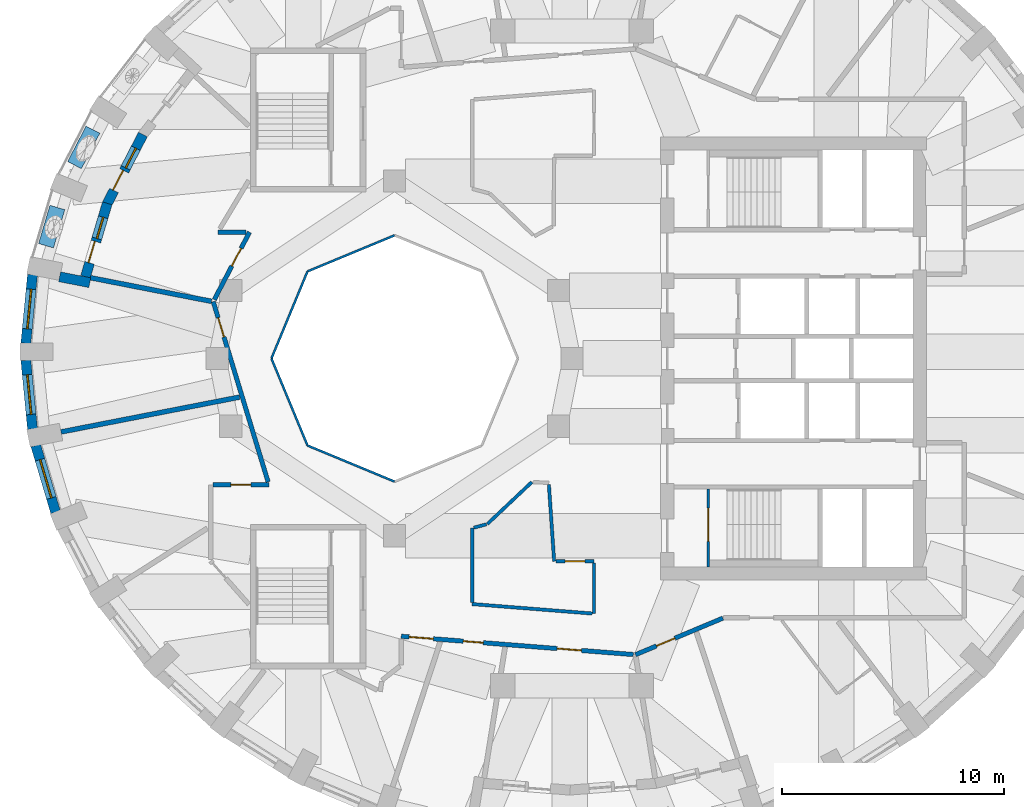
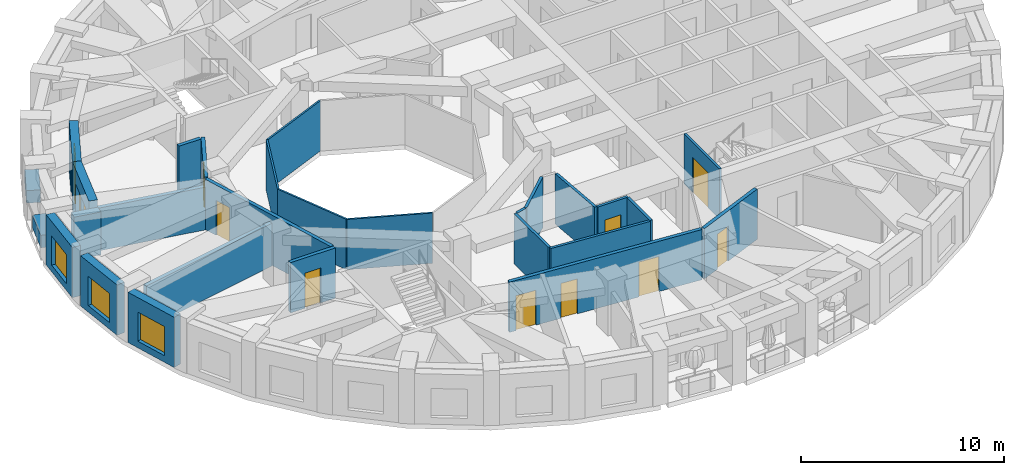
# One storey, part 4 of 12: 28 walls, 11 doors, 5 windows, 16 openings.
"""IFC4 building model written with IfcOpenShell, lengths in metres."""

from ifc_helpers import new_model, si_unit, direction, frame, frame_2d, origin, place, context, subcontext, project, spatial, rectangle, extrude, material, layer, layer_set, constituent, constituent_set, type_object, element, fill, save


model = new_model("IFC4")

# Units and contexts
model_context = context("Model", 3, precision=1e-05, world=origin(), true_north=direction((0.0, 1.0)))
body_context = subcontext(model_context, "Body", "Model", "MODEL_VIEW")
ifc_project = project(units=[si_unit("LENGTHUNIT", "METRE"), si_unit("AREAUNIT", "SQUARE_METRE"), si_unit("VOLUMEUNIT", "CUBIC_METRE"), si_unit("PLANEANGLEUNIT", "RADIAN"), si_unit("MASSUNIT", "GRAM", prefix="KILO")], contexts=[model_context])

# Site, building, storey
site_placement = place(None, origin())
site = spatial("IfcSite", under=ifc_project, at=site_placement, CompositionType="ELEMENT")
building_placement = place(site_placement, origin())
building = spatial("IfcBuilding", under=site, at=building_placement, Name="Taillehof Tower", CompositionType="ELEMENT")
storey_placement = place(building_placement, frame((0.0, 0.0, 246.5)))
storey = spatial("IfcBuildingStorey", under=building, at=storey_placement, Name="L70", CompositionType="ELEMENT", Elevation=246.5)

# Walls
ifc_material_1 = material(Name="Fire-resisting glass in steel frame", Category="steel")
ifc_layer_1 = layer(ifc_material_1, 0.10009765625)
ifc_layer_set_1 = layer_set([ifc_layer_1], Name="Atrium fire-resisting screen EI 60 100")
wall_type_1 = type_object("IfcWallType", Name="Atrium fire-resisting screen EI 60 100", PredefinedType="PARTITIONING", material=ifc_layer_set_1)
for number, where, z_axis, x_axis, name in (
    (1, (-8.0, -5.55419921875, 0.0), (0.0, 0.0, 1.0), (-0.923860025149, 0.382730523909, 0.0), "Atrium screen"),
    (2, (-11.92724609375, -3.92724609375, 0.0), (0.0, 0.0, 1.0), (-0.382730523909, 0.923860025149, 0.0), "Atrium screen"),
    (3, (-13.55419921875, 0.0, 0.0), (0.0, 0.0, 1.0), (0.382730523909, 0.923860025149, 0.0), "Atrium screen"),
    (4, (-11.92724609375, 3.92724609375, 0.0), (0.0, 0.0, 1.0), (0.923860025149, 0.382730523909, 0.0), "Atrium screen"),
):
    element("IfcWall", number, at=place(storey_placement, frame(where, z_axis=z_axis, x_axis=x_axis)), inside=storey, type_object=wall_type_1, Name=name, PredefinedType="PARTITIONING", context=body_context, shape_type="SweptSolid", body=[
        extrude(rectangle(XDim=4.2509765625, YDim=0.10009765625, at=frame_2d((2.12548828125, 0.0))), origin(), (0.0, 0.0, 1.0), 3.02001953125),
    ])

# Wall, opening, window
ifc_material_2 = material(Name="Brick masonry", Category="masonry")
ifc_layer_2 = layer(ifc_material_2, 0.449951171875)
ifc_layer_set_2 = layer_set([ifc_layer_2], Name="Brick infill wall 450")
wall_type_2 = type_object("IfcWallType", Name="Brick infill wall 450", PredefinedType="SOLIDWALL", material=ifc_layer_set_2)
wall_1_placement = place(storey_placement, frame((-24.335693359375, 3.77978515625, 0.0), z_axis=(0.0, 0.0, 1.0), x_axis=(-0.096740086873, -0.995309678237, 0.0)))
wall_1 = element("IfcWall", 5, at=wall_1_placement, inside=storey, type_object=wall_type_2, Name="Brick wall L70 bay 18", PredefinedType="SOLIDWALL", context=body_context, shape_type="SweptSolid", body=[
    extrude(rectangle(XDim=3.1142578125, YDim=0.449951171875, at=frame_2d((1.55712890625, 0.0))), origin(), (0.0, 0.0, 1.0), 3.02001953125),
])
opening_1_placement = place(wall_1_placement, frame((0.6572265625, 0.0, 0.39990234375)))
opening_1 = element("IfcOpeningElement", 6, at=opening_1_placement, cuts=wall_1, Name="Opening W4", PredefinedType="OPENING", context=body_context, shape_type="SweptSolid", body=[
    extrude(rectangle(XDim=1.800048828125, YDim=1.75, at=frame_2d((0.89990234375, 0.875))), frame((0.0, 0.23486328125, 0.0), z_axis=(0.0, -1.0, 0.0), x_axis=(1.0, 0.0, 0.0)), (0.0, 0.0, 1.0), 0.469970703125),
])
ifc_material_3 = material(Name="Aluminium window frame with clear double glazing", Category="aluminium")
window_type_1 = type_object("IfcWindowType", Name="Deep-set window 1800x1750", PartitioningType="SINGLE_PANEL", PredefinedType="WINDOW", material=ifc_material_3)
window_1_placement = place(opening_1_placement, origin())
window_1 = element("IfcWindow", 7, at=window_1_placement, inside=storey, type_object=window_type_1, Name="W4", OverallHeight=1.75, OverallWidth=1.800048828125, PartitioningType="SINGLE_PANEL", PredefinedType="WINDOW", context=body_context, shape_type="SweptSolid", body=[
    extrude(rectangle(XDim=1.800048828125, YDim=1.75, at=frame_2d((0.89990234375, 0.875))), frame((0.0, 0.034912109375, 0.0), z_axis=(0.0, -1.0, 0.0), x_axis=(1.0, 0.0, 0.0)), (0.0, 0.0, 1.0), 0.06005859375),
])
fill(opening_1, window_1)

wall_2_placement = place(storey_placement, frame((-24.636962890625, -0.080078125, 0.0), z_axis=(0.0, 0.0, 1.0), x_axis=(0.09673253904, -0.995310411827, 0.0)))
wall_2 = element("IfcWall", 8, at=wall_2_placement, inside=storey, type_object=wall_type_2, Name="Brick wall L70 bay 19", PredefinedType="SOLIDWALL", context=body_context, shape_type="SweptSolid", body=[
    extrude(rectangle(XDim=3.114501953125, YDim=0.449951171875, at=frame_2d((1.55712890625, 0.0))), origin(), (0.0, 0.0, 1.0), 3.02001953125),
])
opening_2_placement = place(wall_2_placement, frame((0.6572265625, 0.0, 0.39990234375)))
opening_2 = element("IfcOpeningElement", 9, at=opening_2_placement, cuts=wall_2, Name="Opening W4", PredefinedType="OPENING", context=body_context, shape_type="SweptSolid", body=[
    extrude(rectangle(XDim=1.800048828125, YDim=1.75, at=frame_2d((0.89990234375, 0.875))), frame((0.0, 0.23486328125, 0.0), z_axis=(0.0, -1.0, 0.0), x_axis=(1.0, 0.0, 0.0)), (0.0, 0.0, 1.0), 0.469970703125),
])
window_2_placement = place(opening_2_placement, origin())
window_2 = element("IfcWindow", 10, at=window_2_placement, inside=storey, type_object=window_type_1, Name="W4", OverallHeight=1.75, OverallWidth=1.800048828125, PartitioningType="SINGLE_PANEL", PredefinedType="WINDOW", context=body_context, shape_type="SweptSolid", body=[
    extrude(rectangle(XDim=1.800048828125, YDim=1.75, at=frame_2d((0.89990234375, 0.875))), frame((0.0, 0.034912109375, 0.0), z_axis=(0.0, -1.0, 0.0), x_axis=(1.0, 0.0, 0.0)), (0.0, 0.0, 1.0), 0.06005859375),
])
fill(opening_2, window_2)

wall_3_placement = place(storey_placement, frame((-24.18994140625, -3.92578125, 0.0), z_axis=(0.0, 0.0, 1.0), x_axis=(0.285263800865, -0.958449040855, 0.0)))
wall_3 = element("IfcWall", 11, at=wall_3_placement, inside=storey, type_object=wall_type_2, Name="Brick wall L70 bay 20", PredefinedType="SOLIDWALL", context=body_context, shape_type="SweptSolid", body=[
    extrude(rectangle(XDim=3.13916015625, YDim=0.449951171875, at=frame_2d((1.569580078125, 0.0))), origin(), (0.0, 0.0, 1.0), 3.02001953125),
])
opening_3_placement = place(wall_3_placement, frame((0.669677734375, 0.0, 0.39990234375)))
opening_3 = element("IfcOpeningElement", 12, at=opening_3_placement, cuts=wall_3, Name="Opening W4", PredefinedType="OPENING", context=body_context, shape_type="SweptSolid", body=[
    extrude(rectangle(XDim=1.800048828125, YDim=1.75, at=frame_2d((0.89990234375, 0.875))), frame((0.0, 0.23486328125, 0.0), z_axis=(0.0, -1.0, 0.0), x_axis=(1.0, 0.0, 0.0)), (0.0, 0.0, 1.0), 0.469970703125),
])
window_3_placement = place(opening_3_placement, origin())
window_3 = element("IfcWindow", 13, at=window_3_placement, inside=storey, type_object=window_type_1, Name="W4", OverallHeight=1.75, OverallWidth=1.800048828125, PartitioningType="SINGLE_PANEL", PredefinedType="WINDOW", context=body_context, shape_type="SweptSolid", body=[
    extrude(rectangle(XDim=1.800048828125, YDim=1.75, at=frame_2d((0.89990234375, 0.875))), frame((0.0, 0.034912109375, 0.0), z_axis=(0.0, -1.0, 0.0), x_axis=(1.0, 0.0, 0.0)), (0.0, 0.0, 1.0), 0.06005859375),
])
fill(opening_3, window_3)

# Wall
wall_4_placement = place(storey_placement, frame((-23.11376953125, 3.685302734375, 0.0), z_axis=(0.0, 0.0, 1.0), x_axis=(0.981468844755, -0.191621780535, 0.0)))
element("IfcWall", 14, at=wall_4_placement, inside=storey, type_object=wall_type_2, Name="Brick reveal L70 pocket 4", PredefinedType="SOLIDWALL", context=body_context, shape_type="SweptSolid", body=[
    extrude(rectangle(XDim=1.39013671875, YDim=0.449951171875, at=frame_2d((0.695068359375, 0.0))), origin(), (0.0, 0.0, 1.0), 2.570068359375),
])

# Wall, openings, door, window
wall_5_placement = place(storey_placement, frame((-19.355224609375, 10.104248046875, 0.0), z_axis=(0.0, 0.0, 1.0), x_axis=(-0.458852093952, -0.888512665006, 0.0)))
wall_5 = element("IfcWall", 15, at=wall_5_placement, inside=storey, type_object=wall_type_2, Name="Brick wall L70 pocket bay 16", PredefinedType="SOLIDWALL", context=body_context, shape_type="SweptSolid", body=[
    extrude(rectangle(XDim=3.537841796875, YDim=0.449951171875, at=frame_2d((1.76904296875, 0.0))), origin(), (0.0, 0.0, 1.0), 3.02001953125),
])
opening_4_placement = place(wall_5_placement, frame((0.69384765625, 0.0, 0.39990234375)))
opening_4 = element("IfcOpeningElement", 16, at=opening_4_placement, cuts=wall_5, Name="Opening W5", PredefinedType="OPENING", context=body_context, shape_type="SweptSolid", body=[
    extrude(rectangle(XDim=1.0, YDim=1.75, at=frame_2d((0.5, 0.875))), frame((0.0, 0.23486328125, 0.0), z_axis=(0.0, -1.0, 0.0), x_axis=(1.0, 0.0, 0.0)), (0.0, 0.0, 1.0), 0.469970703125),
])
opening_5_placement = place(wall_5_placement, frame((1.84375, 0.0, 0.0)))
opening_5 = element("IfcOpeningElement", 17, at=opening_5_placement, cuts=wall_5, Name="Opening D7095", PredefinedType="OPENING", context=body_context, shape_type="SweptSolid", body=[
    extrude(rectangle(XDim=1.0, YDim=2.14990234375, at=frame_2d((0.5, 1.074951171875))), frame((0.0, 0.23486328125, 0.0), z_axis=(0.0, -1.0, 0.0), x_axis=(1.0, 0.0, 0.0)), (0.0, 0.0, 1.0), 0.469970703125),
])
ifc_material_4 = material(Name="Aluminium door frame with clear double glazing", Category="aluminium")
door_type_1 = type_object("IfcDoorType", Name="Balcony door 1000x2150", OperationType="SINGLE_SWING_RIGHT", PredefinedType="DOOR", material=ifc_material_4)
door_1_placement = place(opening_5_placement, frame((1.0, 0.0, 0.0), z_axis=(0.0, 0.0, 1.0), x_axis=(-1.0, 0.0, 0.0)))
door_1 = element("IfcDoor", 18, at=door_1_placement, inside=storey, type_object=door_type_1, Name="Balcony door L70 bay 16", OperationType="SINGLE_SWING_LEFT", OverallHeight=2.14990234375, OverallWidth=1.0, PredefinedType="DOOR", context=body_context, shape_type="SweptSolid", body=[
    extrude(rectangle(XDim=1.0, YDim=2.14990234375, at=frame_2d((0.5, 1.074951171875))), frame((0.0, 0.0751953125, 0.0), z_axis=(0.0, -1.0, 0.0), x_axis=(1.0, 0.0, 0.0)), (0.0, 0.0, 1.0), 0.050048828125),
])
fill(opening_5, door_1)
ifc_material_5 = material(Name="Aluminium window frame with clear double glazing", Category="aluminium")
window_type_2 = type_object("IfcWindowType", Name="Fixed window 1000x1750", PartitioningType="SINGLE_PANEL", PredefinedType="WINDOW", material=ifc_material_5)
window_4_placement = place(opening_4_placement, origin())
window_4 = element("IfcWindow", 19, at=window_4_placement, inside=storey, type_object=window_type_2, Name="W5", OverallHeight=1.75, OverallWidth=1.0, PartitioningType="SINGLE_PANEL", PredefinedType="WINDOW", context=body_context, shape_type="SweptSolid", body=[
    extrude(rectangle(XDim=1.0, YDim=1.75, at=frame_2d((0.5, 0.875))), frame((0.0, 0.034912109375, 0.0), z_axis=(0.0, -1.0, 0.0), x_axis=(1.0, 0.0, 0.0)), (0.0, 0.0, 1.0), 0.06005859375),
])
fill(opening_4, window_4)

wall_6_placement = place(storey_placement, frame((-20.962646484375, 7.000244140625, 0.0), z_axis=(0.0, 0.0, 1.0), x_axis=(-0.284437019833, -0.958694728132, 0.0)))
wall_6 = element("IfcWall", 20, at=wall_6_placement, inside=storey, type_object=wall_type_2, Name="Brick wall L70 pocket bay 17", PredefinedType="SOLIDWALL", context=body_context, shape_type="SweptSolid", body=[
    extrude(rectangle(XDim=3.45654296875, YDim=0.449951171875, at=frame_2d((1.728271484375, 0.0))), origin(), (0.0, 0.0, 1.0), 3.02001953125),
])
opening_6_placement = place(wall_6_placement, frame((0.6533203125, 0.0, 0.39990234375)))
opening_6 = element("IfcOpeningElement", 21, at=opening_6_placement, cuts=wall_6, Name="Opening W5", PredefinedType="OPENING", context=body_context, shape_type="SweptSolid", body=[
    extrude(rectangle(XDim=1.0, YDim=1.75, at=frame_2d((0.5, 0.875))), frame((0.0, 0.23486328125, 0.0), z_axis=(0.0, -1.0, 0.0), x_axis=(1.0, 0.0, 0.0)), (0.0, 0.0, 1.0), 0.469970703125),
])
opening_7_placement = place(wall_6_placement, frame((1.80322265625, 0.0, 0.0)))
opening_7 = element("IfcOpeningElement", 22, at=opening_7_placement, cuts=wall_6, Name="Opening D7096", PredefinedType="OPENING", context=body_context, shape_type="SweptSolid", body=[
    extrude(rectangle(XDim=1.0, YDim=2.14990234375, at=frame_2d((0.5, 1.074951171875))), frame((0.0, 0.23486328125, 0.0), z_axis=(0.0, -1.0, 0.0), x_axis=(1.0, 0.0, 0.0)), (0.0, 0.0, 1.0), 0.469970703125),
])
door_2_placement = place(opening_7_placement, frame((1.0, 0.0, 0.0), z_axis=(0.0, 0.0, 1.0), x_axis=(-1.0, 0.0, 0.0)))
door_2 = element("IfcDoor", 23, at=door_2_placement, inside=storey, type_object=door_type_1, Name="Balcony door L70 bay 17", OperationType="SINGLE_SWING_LEFT", OverallHeight=2.14990234375, OverallWidth=1.0, PredefinedType="DOOR", context=body_context, shape_type="SweptSolid", body=[
    extrude(rectangle(XDim=1.0, YDim=2.14990234375, at=frame_2d((0.5, 1.074951171875))), frame((0.0, 0.0751953125, 0.0), z_axis=(0.0, -1.0, 0.0), x_axis=(1.0, 0.0, 0.0)), (0.0, 0.0, 1.0), 0.050048828125),
])
fill(opening_7, door_2)
window_5_placement = place(opening_6_placement, origin())
window_5 = element("IfcWindow", 24, at=window_5_placement, inside=storey, type_object=window_type_2, Name="W5", OverallHeight=1.75, OverallWidth=1.0, PartitioningType="SINGLE_PANEL", PredefinedType="WINDOW", context=body_context, shape_type="SweptSolid", body=[
    extrude(rectangle(XDim=1.0, YDim=1.75, at=frame_2d((0.5, 0.875))), frame((0.0, 0.034912109375, 0.0), z_axis=(0.0, -1.0, 0.0), x_axis=(1.0, 0.0, 0.0)), (0.0, 0.0, 1.0), 0.06005859375),
])
fill(opening_6, window_5)

# Wall, opening, door
ifc_material_6 = material(Name="Gypsum board on steel studs, two layers each side", Category="steel")
ifc_layer_3 = layer(ifc_material_6, 0.199951171875)
ifc_layer_set_3 = layer_set([ifc_layer_3], Name="Compartment wall corridor 200")
wall_type_3 = type_object("IfcWallType", Name="Compartment wall corridor 200", PredefinedType="PARTITIONING", material=ifc_layer_set_3)
wall_7_placement = place(storey_placement, frame((6.811767578125, -11.715576171875, 0.0), z_axis=(0.0, 0.0, 1.0), x_axis=(-0.922465594323, -0.386079301817, 0.0)))
wall_7 = element("IfcWall", 25, at=wall_7_placement, inside=storey, type_object=wall_type_3, Name="Compartment wall", PredefinedType="PARTITIONING", context=body_context, shape_type="SweptSolid", body=[
    extrude(rectangle(XDim=4.2734375, YDim=0.199951171875, at=frame_2d((2.13671875, 0.0))), origin(), (0.0, 0.0, 1.0), 3.02001953125),
])
opening_8_placement = place(wall_7_placement, frame((2.3486328125, 0.0, 0.0)))
opening_8 = element("IfcOpeningElement", 26, at=opening_8_placement, cuts=wall_7, Name="Opening D7053", PredefinedType="OPENING", context=body_context, shape_type="SweptSolid", body=[
    extrude(rectangle(XDim=0.89990234375, YDim=2.10009765625, at=frame_2d((0.449951171875, 1.050048828125))), frame((0.0, 0.10986328125, 0.0), z_axis=(0.0, -1.0, 0.0), x_axis=(1.0, 0.0, 0.0)), (0.0, 0.0, 1.0), 0.219970703125),
])
ifc_material_7 = material(Name="Timber door leaf in steel frame", Category="steel")
door_type_2 = type_object("IfcDoorType", Name="Service room door EI 30 900 x 2100", OperationType="SINGLE_SWING_LEFT", PredefinedType="DOOR", material=ifc_material_7)
door_3_placement = place(opening_8_placement, origin())
door_3 = element("IfcDoor", 27, at=door_3_placement, inside=storey, type_object=door_type_2, Name="D7053", OperationType="SINGLE_SWING_RIGHT", OverallHeight=2.10009765625, OverallWidth=0.89990234375, PredefinedType="DOOR", context=body_context, shape_type="SweptSolid", body=[
    extrude(rectangle(XDim=0.89990234375, YDim=2.10009765625, at=frame_2d((0.449951171875, 1.050048828125))), frame((0.0, 0.02490234375, 0.0), z_axis=(0.0, -1.0, 0.0), x_axis=(1.0, 0.0, 0.0)), (0.0, 0.0, 1.0), 0.050048828125),
])
fill(opening_8, door_3)

# Wall, openings, doors
wall_8_placement = place(storey_placement, frame((2.76953125, -13.358154296875, 0.0), z_axis=(0.0, 0.0, 1.0), x_axis=(-0.996922723337, 0.07839058422, 0.0)))
wall_8 = element("IfcWall", 28, at=wall_8_placement, inside=storey, type_object=wall_type_3, Name="Compartment wall", PredefinedType="PARTITIONING", context=body_context, shape_type="SweptSolid", body=[
    extrude(rectangle(XDim=10.501708984375, YDim=0.199951171875, at=frame_2d((5.2509765625, 0.0))), origin(), (0.0, 0.0, 1.0), 3.02001953125),
])
opening_9_placement = place(wall_8_placement, frame((9.045654296875, 0.0, 0.0)))
opening_9 = element("IfcOpeningElement", 29, at=opening_9_placement, cuts=wall_8, Name="Opening D7050", PredefinedType="OPENING", context=body_context, shape_type="SweptSolid", body=[
    extrude(rectangle(XDim=1.10009765625, YDim=2.10009765625, at=frame_2d((0.550048828125, 1.050048828125))), frame((0.0, 0.10986328125, 0.0), z_axis=(0.0, -1.0, 0.0), x_axis=(1.0, 0.0, 0.0)), (0.0, 0.0, 1.0), 0.219970703125),
])
opening_10_placement = place(wall_8_placement, frame((6.791748046875, 0.0, 0.0)))
opening_10 = element("IfcOpeningElement", 30, at=opening_10_placement, cuts=wall_8, Name="Opening D7051", PredefinedType="OPENING", context=body_context, shape_type="SweptSolid", body=[
    extrude(rectangle(XDim=0.89990234375, YDim=2.10009765625, at=frame_2d((0.449951171875, 1.050048828125))), frame((0.0, 0.10986328125, 0.0), z_axis=(0.0, -1.0, 0.0), x_axis=(1.0, 0.0, 0.0)), (0.0, 0.0, 1.0), 0.219970703125),
])
opening_11_placement = place(wall_8_placement, frame((2.3466796875, 0.0, 0.0)))
opening_11 = element("IfcOpeningElement", 31, at=opening_11_placement, cuts=wall_8, Name="Opening D7052", PredefinedType="OPENING", context=body_context, shape_type="SweptSolid", body=[
    extrude(rectangle(XDim=1.10009765625, YDim=2.10009765625, at=frame_2d((0.550048828125, 1.050048828125))), frame((0.0, 0.10986328125, 0.0), z_axis=(0.0, -1.0, 0.0), x_axis=(1.0, 0.0, 0.0)), (0.0, 0.0, 1.0), 0.219970703125),
])
door_4_placement = place(opening_10_placement, origin())
door_4 = element("IfcDoor", 32, at=door_4_placement, inside=storey, type_object=door_type_2, Name="D7051", OperationType="SINGLE_SWING_RIGHT", OverallHeight=2.10009765625, OverallWidth=0.89990234375, PredefinedType="DOOR", context=body_context, shape_type="SweptSolid", body=[
    extrude(rectangle(XDim=0.89990234375, YDim=2.10009765625, at=frame_2d((0.449951171875, 1.050048828125))), frame((0.0, 0.02490234375, 0.0), z_axis=(0.0, -1.0, 0.0), x_axis=(1.0, 0.0, 0.0)), (0.0, 0.0, 1.0), 0.050048828125),
])
fill(opening_10, door_4)
ifc_material_8 = material(Name="Timber door leaf in steel frame", Category="steel")
door_type_3 = type_object("IfcDoorType", Name="Suite entrance door EI 30 1100 x 2100", OperationType="SINGLE_SWING_LEFT", PredefinedType="DOOR", material=ifc_material_8)
door_5_placement = place(opening_9_placement, origin())
door_5 = element("IfcDoor", 33, at=door_5_placement, inside=storey, type_object=door_type_3, Name="D7050", OperationType="SINGLE_SWING_LEFT", OverallHeight=2.10009765625, OverallWidth=1.10009765625, PredefinedType="DOOR", context=body_context, shape_type="SweptSolid", body=[
    extrude(rectangle(XDim=1.10009765625, YDim=2.10009765625, at=frame_2d((0.550048828125, 1.050048828125))), frame((0.0, 0.02490234375, 0.0), z_axis=(0.0, -1.0, 0.0), x_axis=(1.0, 0.0, 0.0)), (0.0, 0.0, 1.0), 0.050048828125),
])
fill(opening_9, door_5)
door_6_placement = place(opening_11_placement, origin())
door_6 = element("IfcDoor", 34, at=door_6_placement, inside=storey, type_object=door_type_3, Name="D7052", OperationType="SINGLE_SWING_RIGHT", OverallHeight=2.10009765625, OverallWidth=1.10009765625, PredefinedType="DOOR", context=body_context, shape_type="SweptSolid", body=[
    extrude(rectangle(XDim=1.10009765625, YDim=2.10009765625, at=frame_2d((0.550048828125, 1.050048828125))), frame((0.0, 0.02490234375, 0.0), z_axis=(0.0, -1.0, 0.0), x_axis=(1.0, 0.0, 0.0)), (0.0, 0.0, 1.0), 0.050048828125),
])
fill(opening_11, door_6)

# Wall, opening, door
wall_9_placement = place(storey_placement, frame((-16.199951171875, -5.699951171875, 0.0), z_axis=(0.0, 0.0, 1.0), x_axis=(1.0, 0.0, 0.0)))
wall_9 = element("IfcWall", 35, at=wall_9_placement, inside=storey, type_object=wall_type_3, Name="Compartment wall", PredefinedType="PARTITIONING", context=body_context, shape_type="SweptSolid", body=[
    extrude(rectangle(XDim=2.533935546875, YDim=0.199951171875, at=frame_2d((1.26708984375, 0.0))), origin(), (0.0, 0.0, 1.0), 3.02001953125),
])
opening_12_placement = place(wall_9_placement, frame((0.81689453125, 0.0, 0.0)))
opening_12 = element("IfcOpeningElement", 36, at=opening_12_placement, cuts=wall_9, Name="Opening D7048", PredefinedType="OPENING", context=body_context, shape_type="SweptSolid", body=[
    extrude(rectangle(XDim=0.89990234375, YDim=2.10009765625, at=frame_2d((0.449951171875, 1.050048828125))), frame((0.0, 0.10986328125, 0.0), z_axis=(0.0, -1.0, 0.0), x_axis=(1.0, 0.0, 0.0)), (0.0, 0.0, 1.0), 0.219970703125),
])
door_7_placement = place(opening_12_placement, origin())
door_7 = element("IfcDoor", 37, at=door_7_placement, inside=storey, type_object=door_type_2, Name="D7048", OperationType="SINGLE_SWING_RIGHT", OverallHeight=2.10009765625, OverallWidth=0.89990234375, PredefinedType="DOOR", context=body_context, shape_type="SweptSolid", body=[
    extrude(rectangle(XDim=0.89990234375, YDim=2.10009765625, at=frame_2d((0.449951171875, 1.050048828125))), frame((0.0, 0.02490234375, 0.0), z_axis=(0.0, -1.0, 0.0), x_axis=(1.0, 0.0, 0.0)), (0.0, 0.0, 1.0), 0.050048828125),
])
fill(opening_12, door_7)

wall_10_placement = place(storey_placement, frame((-13.70703125, -5.566650390625, 0.0), z_axis=(0.0, 0.0, 1.0), x_axis=(-0.29116047228, 0.956674228451, 0.0)))
wall_10 = element("IfcWall", 38, at=wall_10_placement, inside=storey, type_object=wall_type_3, Name="Compartment wall", PredefinedType="PARTITIONING", context=body_context, shape_type="SweptSolid", body=[
    extrude(rectangle(XDim=8.495849609375, YDim=0.199951171875, at=frame_2d((4.248046875, 0.0))), origin(), (0.0, 0.0, 1.0), 3.02001953125),
])
opening_13_placement = place(wall_10_placement, frame((6.8359375, 0.0, 0.0)))
opening_13 = element("IfcOpeningElement", 39, at=opening_13_placement, cuts=wall_10, Name="Opening D7047", PredefinedType="OPENING", context=body_context, shape_type="SweptSolid", body=[
    extrude(rectangle(XDim=0.89990234375, YDim=2.10009765625, at=frame_2d((0.449951171875, 1.050048828125))), frame((0.0, 0.10986328125, 0.0), z_axis=(0.0, -1.0, 0.0), x_axis=(1.0, 0.0, 0.0)), (0.0, 0.0, 1.0), 0.219970703125),
])
door_8_placement = place(opening_13_placement, origin())
door_8 = element("IfcDoor", 40, at=door_8_placement, inside=storey, type_object=door_type_2, Name="D7047", OperationType="SINGLE_SWING_RIGHT", OverallHeight=2.10009765625, OverallWidth=0.89990234375, PredefinedType="DOOR", context=body_context, shape_type="SweptSolid", body=[
    extrude(rectangle(XDim=0.89990234375, YDim=2.10009765625, at=frame_2d((0.449951171875, 1.050048828125))), frame((0.0, 0.02490234375, 0.0), z_axis=(0.0, -1.0, 0.0), x_axis=(1.0, 0.0, 0.0)), (0.0, 0.0, 1.0), 0.050048828125),
])
fill(opening_13, door_8)

wall_11_placement = place(storey_placement, frame((-16.13427734375, 2.650146484375, 0.0), z_axis=(0.0, 0.0, 1.0), x_axis=(0.462143812638, 0.886804993468, 0.0)))
wall_11 = element("IfcWall", 41, at=wall_11_placement, inside=storey, type_object=wall_type_3, Name="Compartment wall", PredefinedType="PARTITIONING", context=body_context, shape_type="SweptSolid", body=[
    extrude(rectangle(XDim=3.439208984375, YDim=0.199951171875, at=frame_2d((1.7197265625, 0.0))), origin(), (0.0, 0.0, 1.0), 3.02001953125),
])
opening_14_placement = place(wall_11_placement, frame((1.7158203125, 0.0, 0.0)))
opening_14 = element("IfcOpeningElement", 42, at=opening_14_placement, cuts=wall_11, Name="Opening D7046", PredefinedType="OPENING", context=body_context, shape_type="SweptSolid", body=[
    extrude(rectangle(XDim=0.89990234375, YDim=2.10009765625, at=frame_2d((0.449951171875, 1.050048828125))), frame((0.0, 0.10986328125, 0.0), z_axis=(0.0, -1.0, 0.0), x_axis=(1.0, 0.0, 0.0)), (0.0, 0.0, 1.0), 0.219970703125),
])
door_9_placement = place(opening_14_placement, origin())
door_9 = element("IfcDoor", 43, at=door_9_placement, inside=storey, type_object=door_type_2, Name="D7046", OperationType="SINGLE_SWING_RIGHT", OverallHeight=2.10009765625, OverallWidth=0.89990234375, PredefinedType="DOOR", context=body_context, shape_type="SweptSolid", body=[
    extrude(rectangle(XDim=0.89990234375, YDim=2.10009765625, at=frame_2d((0.449951171875, 1.050048828125))), frame((0.0, 0.02490234375, 0.0), z_axis=(0.0, -1.0, 0.0), x_axis=(1.0, 0.0, 0.0)), (0.0, 0.0, 1.0), 0.050048828125),
])
fill(opening_14, door_9)

# Walls
wall_12_placement = place(storey_placement, frame((-14.705078125, 5.699951171875, 0.0), z_axis=(0.0, 0.0, 1.0), x_axis=(-1.0, 0.0, 0.0)))
element("IfcWall", 44, at=wall_12_placement, inside=storey, type_object=wall_type_3, Name="Compartment wall", PredefinedType="PARTITIONING", context=body_context, shape_type="SweptSolid", body=[
    extrude(rectangle(XDim=1.26904296875, YDim=0.199951171875, at=frame_2d((0.634521484375, 0.0))), origin(), (0.0, 0.0, 1.0), 3.02001953125),
])
ifc_material_9 = material(Name="Gypsum board on double steel studs with mineral wool", Category="steel")
ifc_layer_4 = layer(ifc_material_9, 0.219970703125)
ifc_layer_set_4 = layer_set([ifc_layer_4], Name="Compartment wall guest room 220")
wall_type_4 = type_object("IfcWallType", Name="Compartment wall guest room 220", PredefinedType="PARTITIONING", material=ifc_layer_set_4)
wall_13_placement = place(storey_placement, frame((-21.72412109375, 3.643310546875, 0.0), z_axis=(0.0, 0.0, 1.0), x_axis=(0.981482350032, -0.191552594804, 0.0)))
element("IfcWall", 45, at=wall_13_placement, inside=storey, type_object=wall_type_4, Name="Compartment wall", PredefinedType="PARTITIONING", context=body_context, shape_type="SweptSolid", body=[
    extrude(rectangle(XDim=5.568359375, YDim=0.219970703125, at=frame_2d((2.7841796875, 0.0))), origin(), (0.0, 0.0, 1.0), 2.570068359375),
])
wall_14_placement = place(storey_placement, frame((-23.048583984375, -3.315673828125, 0.0), z_axis=(0.0, 0.0, 1.0), x_axis=(0.981479950205, 0.19156489069, 0.0)))
element("IfcWall", 46, at=wall_14_placement, inside=storey, type_object=wall_type_4, Name="Compartment wall", PredefinedType="PARTITIONING", context=body_context, shape_type="SweptSolid", body=[
    extrude(rectangle(XDim=8.204833984375, YDim=0.219970703125, at=frame_2d((4.1025390625, 0.0))), origin(), (0.0, 0.0, 1.0), 2.570068359375),
])
ifc_material_10 = material(Name="Gypsum board on steel studs, two layers each side", Category="steel")
ifc_layer_5 = layer(ifc_material_10, 0.14990234375)
ifc_layer_set_5 = layer_set([ifc_layer_5], Name="Compartment wall service room 150")
wall_type_5 = type_object("IfcWallType", Name="Compartment wall service room 150", PredefinedType="PARTITIONING", material=ifc_layer_set_5)
wall_15_placement = place(storey_placement, frame((-3.817138671875, -7.471923828125, 0.0), z_axis=(0.0, 0.0, 1.0), x_axis=(0.727554143834, 0.686050266227, 0.0)))
element("IfcWall", 47, at=wall_15_placement, inside=storey, type_object=wall_type_5, Name="Compartment wall", PredefinedType="PARTITIONING", context=body_context, shape_type="SweptSolid", body=[
    extrude(rectangle(XDim=2.7646484375, YDim=0.14990234375, at=frame_2d((1.38232421875, 0.0))), origin(), (0.0, 0.0, 1.0), 3.02001953125),
])
wall_16_placement = place(storey_placement, frame((-1.0380859375, -5.692626953125, 0.0), z_axis=(0.0, 0.0, 1.0), x_axis=(0.068688454557, -0.997638158959, 0.0)))
element("IfcWall", 48, at=wall_16_placement, inside=storey, type_object=wall_type_5, Name="Compartment wall", PredefinedType="PARTITIONING", context=body_context, shape_type="SweptSolid", body=[
    extrude(rectangle(XDim=3.465576171875, YDim=0.14990234375, at=frame_2d((1.73291015625, 0.0))), origin(), (0.0, 0.0, 1.0), 3.02001953125),
])

# Wall, opening, door
wall_17_placement = place(storey_placement, frame((-0.719970703125, -9.14990234375, 0.0), z_axis=(0.0, 0.0, 1.0), x_axis=(1.0, 0.0, 0.0)))
wall_17 = element("IfcWall", 49, at=wall_17_placement, inside=storey, type_object=wall_type_5, Name="Compartment wall", PredefinedType="PARTITIONING", context=body_context, shape_type="SweptSolid", body=[
    extrude(rectangle(XDim=1.719970703125, YDim=0.14990234375, at=frame_2d((0.85986328125, 0.0))), origin(), (0.0, 0.0, 1.0), 3.02001953125),
])
opening_15_placement = place(wall_17_placement, frame((0.409912109375, 0.0, 0.0)))
opening_15 = element("IfcOpeningElement", 50, at=opening_15_placement, cuts=wall_17, Name="Opening D7060", PredefinedType="OPENING", context=body_context, shape_type="SweptSolid", body=[
    extrude(rectangle(XDim=0.89990234375, YDim=2.10009765625, at=frame_2d((0.449951171875, 1.050048828125))), frame((0.0, 0.0849609375, 0.0), z_axis=(0.0, -1.0, 0.0), x_axis=(1.0, 0.0, 0.0)), (0.0, 0.0, 1.0), 0.169921875),
])
door_10_placement = place(opening_15_placement, origin())
door_10 = element("IfcDoor", 51, at=door_10_placement, inside=storey, type_object=door_type_2, Name="D7060", OperationType="SINGLE_SWING_LEFT", OverallHeight=2.10009765625, OverallWidth=0.89990234375, PredefinedType="DOOR", context=body_context, shape_type="SweptSolid", body=[
    extrude(rectangle(XDim=0.89990234375, YDim=2.10009765625, at=frame_2d((0.449951171875, 1.050048828125))), frame((0.0, 0.02490234375, 0.0), z_axis=(0.0, -1.0, 0.0), x_axis=(1.0, 0.0, 0.0)), (0.0, 0.0, 1.0), 0.050048828125),
])
fill(opening_15, door_10)

# Walls
wall_18_placement = place(storey_placement, frame((1.0, -9.22998046875, 0.0), z_axis=(0.0, 0.0, 1.0), x_axis=(0.0, -1.0, 0.0)))
element("IfcWall", 52, at=wall_18_placement, inside=storey, type_object=wall_type_5, Name="Compartment wall", PredefinedType="PARTITIONING", context=body_context, shape_type="SweptSolid", body=[
    extrude(rectangle(XDim=2.283447265625, YDim=0.14990234375, at=frame_2d((1.1416015625, 0.0))), origin(), (0.0, 0.0, 1.0), 3.02001953125),
])
wall_19_placement = place(storey_placement, frame((0.919921875, -11.507568359375, 0.0), z_axis=(0.0, 0.0, 1.0), x_axis=(-0.996921469635, 0.078406526396, 0.0)))
element("IfcWall", 53, at=wall_19_placement, inside=storey, type_object=wall_type_5, Name="Compartment wall", PredefinedType="PARTITIONING", context=body_context, shape_type="SweptSolid", body=[
    extrude(rectangle(XDim=5.436767578125, YDim=0.14990234375, at=frame_2d((2.71826171875, 0.0))), origin(), (0.0, 0.0, 1.0), 3.02001953125),
])
wall_20_placement = place(storey_placement, frame((-4.5, -11.001220703125, 0.0), z_axis=(0.0, 0.0, 1.0), x_axis=(0.0, 1.0, 0.0)))
element("IfcWall", 54, at=wall_20_placement, inside=storey, type_object=wall_type_5, Name="Compartment wall", PredefinedType="PARTITIONING", context=body_context, shape_type="SweptSolid", body=[
    extrude(rectangle(XDim=3.34619140625, YDim=0.14990234375, at=frame_2d((1.673095703125, 0.0))), origin(), (0.0, 0.0, 1.0), 3.02001953125),
])
wall_21_placement = place(storey_placement, frame((-4.4228515625, -7.634521484375, 0.0), z_axis=(0.0, 0.0, 1.0), x_axis=(0.965764120494, 0.259421786994, 0.0)))
element("IfcWall", 55, at=wall_21_placement, inside=storey, type_object=wall_type_5, Name="Compartment wall", PredefinedType="PARTITIONING", context=body_context, shape_type="SweptSolid", body=[
    extrude(rectangle(XDim=0.587158203125, YDim=0.14990234375, at=frame_2d((0.29345703125, 0.0))), origin(), (0.0, 0.0, 1.0), 3.02001953125),
])
ifc_material_11 = material(Name="Concrete C30/37 precast", Category="concrete")
ifc_constituent_1 = constituent(ifc_material_11, Name="Structure", Category="concrete")
ifc_material_12 = material(Name="Insulated lining")
ifc_constituent_2 = constituent(ifc_material_12, Name="Lining")
ifc_constituent_set = constituent_set(constituents=[ifc_constituent_1, ifc_constituent_2], Name="Planter trough 700x750")
wall_type_6 = type_object("IfcWallType", Name="Planter trough 700x750", PredefinedType="USERDEFINED", material=ifc_constituent_set)
wall_22_placement = place(storey_placement, frame((-21.610595703125, 10.32177734375, 0.0), z_axis=(0.0, 0.0, 1.0), x_axis=(-0.459917269392, -0.887961770188, 0.0)))
element("IfcWall", 56, at=wall_22_placement, inside=storey, type_object=wall_type_6, Name="Planter L70 bay 16", ObjectType="PLANTER", PredefinedType="USERDEFINED", context=body_context, shape_type="SweptSolid", body=[
    extrude(rectangle(XDim=1.800048828125, YDim=0.699951171875, at=frame_2d((0.89990234375, 0.0))), origin(), (0.0, 0.0, 1.0), 0.75),
])
wall_23_placement = place(storey_placement, frame((-23.21240234375, 6.811279296875, 0.0), z_axis=(0.0, 0.0, 1.0), x_axis=(-0.28525656157, -0.958451195461, 0.0)))
element("IfcWall", 57, at=wall_23_placement, inside=storey, type_object=wall_type_6, Name="Planter L70 bay 17", ObjectType="PLANTER", PredefinedType="USERDEFINED", context=body_context, shape_type="SweptSolid", body=[
    extrude(rectangle(XDim=1.7998046875, YDim=0.699951171875, at=frame_2d((0.89990234375, 0.0))), origin(), (0.0, 0.0, 1.0), 0.75),
])

# Wall, opening, door
ifc_material_13 = material(Name="Concrete C50/60", Category="concrete")
ifc_layer_6 = layer(ifc_material_13, 0.1201171875)
ifc_layer_set_6 = layer_set([ifc_layer_6], Name="Stair lobby wall C50/60 120")
wall_type_7 = type_object("IfcWallType", Name="Stair lobby wall C50/60 120", PredefinedType="SHEAR", material=ifc_layer_set_6)
wall_24_placement = place(storey_placement, frame((6.159912109375, -9.39990234375, 0.0), z_axis=(0.0, 0.0, 1.0), x_axis=(0.0, 1.0, 0.0)))
wall_24 = element("IfcWall", 58, at=wall_24_placement, inside=storey, type_object=wall_type_7, Name="Compartment wall SW", PredefinedType="SHEAR", context=body_context, shape_type="SweptSolid", body=[
    extrude(rectangle(XDim=3.5, YDim=0.1201171875, at=frame_2d((1.75, 0.0))), origin(), (0.0, 0.0, 1.0), 3.02001953125),
])
opening_16_placement = place(wall_24_placement, frame((1.14990234375, 0.0, 0.0)))
opening_16 = element("IfcOpeningElement", 59, at=opening_16_placement, cuts=wall_24, Name="Opening D7011", PredefinedType="OPENING", context=body_context, shape_type="SweptSolid", body=[
    extrude(rectangle(XDim=1.5, YDim=2.10009765625, at=frame_2d((0.75, 1.050048828125))), frame((0.0, 0.070068359375, 0.0), z_axis=(0.0, -1.0, 0.0), x_axis=(1.0, 0.0, 0.0)), (0.0, 0.0, 1.0), 0.14013671875),
])
ifc_material_14 = material(Name="Steel-faced fire door", Category="steel")
door_type_4 = type_object("IfcDoorType", Name="Stair door 1500x2100", OperationType="DOUBLE_DOOR_SINGLE_SWING", PredefinedType="DOOR", material=ifc_material_14)
door_11_placement = place(opening_16_placement, origin())
door_11 = element("IfcDoor", 60, at=door_11_placement, inside=storey, type_object=door_type_4, Name="Stair lobby door S2", OperationType="DOUBLE_DOOR_SINGLE_SWING", OverallHeight=2.10009765625, OverallWidth=1.5, PredefinedType="DOOR", context=body_context, shape_type="SweptSolid", body=[
    extrude(rectangle(XDim=1.5, YDim=2.10009765625, at=frame_2d((0.75, 1.050048828125))), frame((0.0, 0.02490234375, 0.0), z_axis=(0.0, -1.0, 0.0), x_axis=(1.0, 0.0, 0.0)), (0.0, 0.0, 1.0), 0.050048828125),
])
fill(opening_16, door_11)

save(model, "model.ifc")
